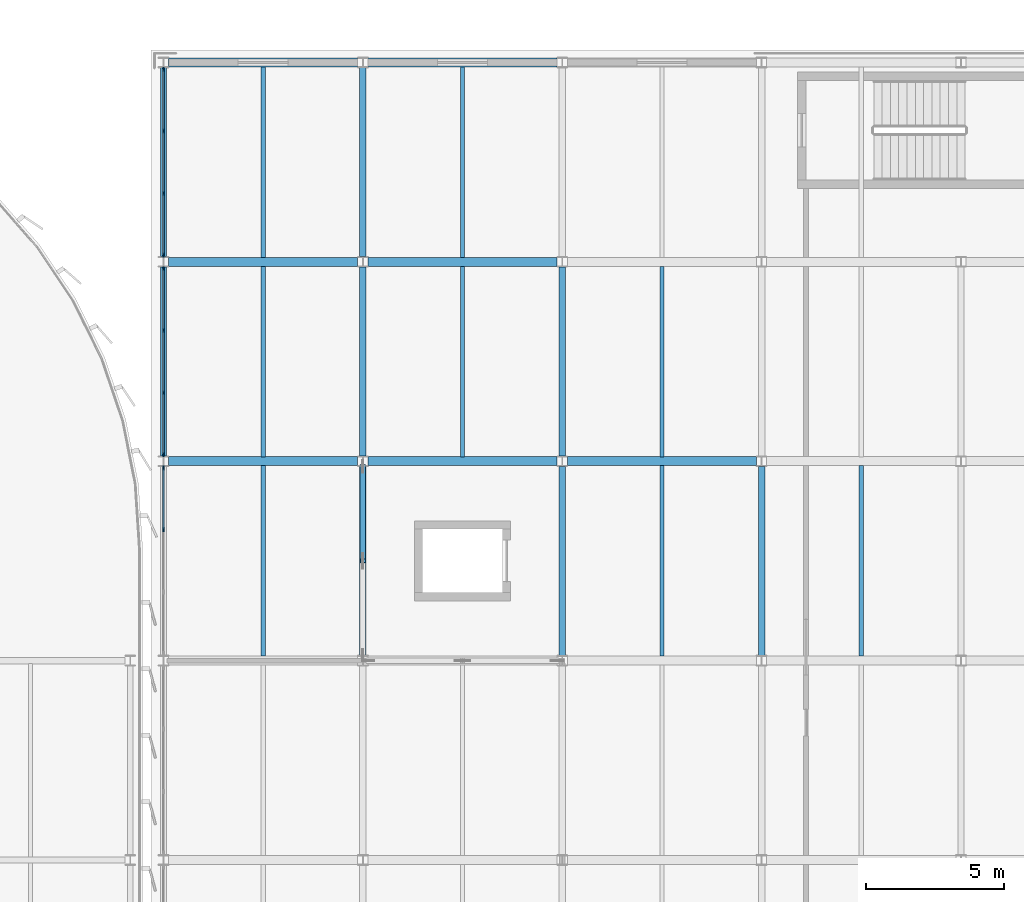
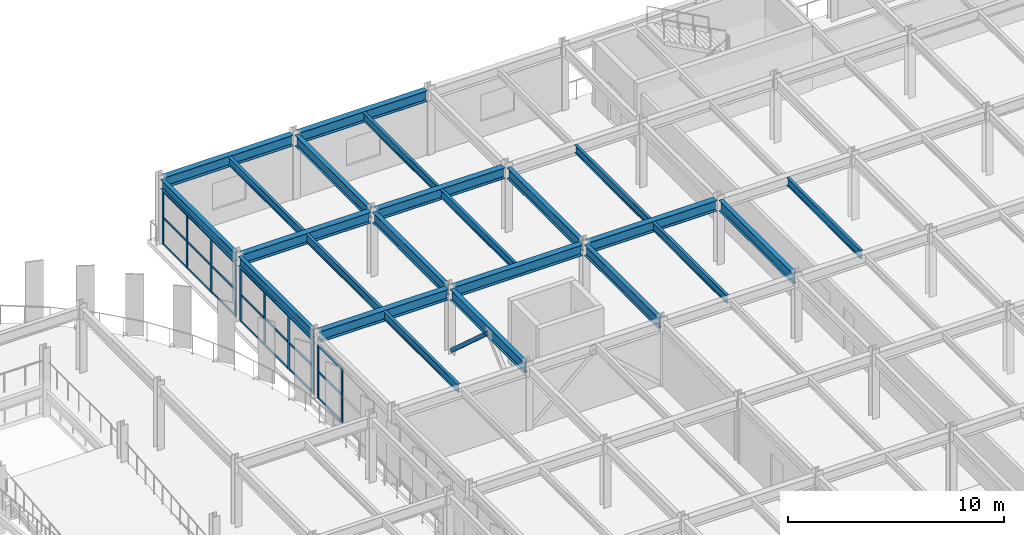
# One storey, part 46 of 93: 32 members, 23 beams, 3 elements without a shape of their own.
"""IFC4 building model written with IfcOpenShell, lengths in metres."""

from ifc_helpers import new_model, si_unit, direction, frame, origin, origin_2d, place, context, subcontext, project, spatial, rectangle, hollow_rectangle, i_section, extrude, material, material_profile, profile_set, type_object, element, aggregate, save


model = new_model("IFC4")

# Units and contexts
model_context = context("Model", 3, precision=1e-05, world=origin(), true_north=direction((0.0, 1.0)))
body_context = subcontext(model_context, "Body", "Model", "MODEL_VIEW")
ifc_project = project(units=[si_unit("LENGTHUNIT", "METRE"), si_unit("AREAUNIT", "SQUARE_METRE"), si_unit("VOLUMEUNIT", "CUBIC_METRE"), si_unit("PLANEANGLEUNIT", "RADIAN"), si_unit("MASSUNIT", "GRAM", prefix="KILO")], contexts=[model_context])

# Site, building, storey
site_placement = place(None, origin())
site = spatial("IfcSite", under=ifc_project, at=site_placement, CompositionType="ELEMENT")
building_placement = place(site_placement, origin())
building = spatial("IfcBuilding", under=site, at=building_placement, Name="Vaelcorin Mobility Hub", CompositionType="ELEMENT")
storey_placement = place(building_placement, frame((0.0, 0.0, 5.39990234375)))
storey = spatial("IfcBuildingStorey", under=building, at=storey_placement, Name="L01", CompositionType="ELEMENT", Elevation=5.39990234375)

# Beams
ifc_material_1 = material(Name="Steel ASTM A992 Grade 50", Category="steel")
ifc_material_profile_1 = material_profile(ifc_material_1, i_section(OverallWidth=0.152099609375, OverallDepth=0.455078125, WebThickness=0.008056640625, FlangeThickness=0.01318359375, FilletRadius=0.012939453125, at=origin_2d()), Name="W18X40")
ifc_profile_set_1 = profile_set([ifc_material_profile_1], Name="Steel ASTM A992 Grade 50")
beam_type_1 = type_object("IfcBeamType", Name="BM-W18X40", PredefinedType="JOIST", material=ifc_profile_set_1)
for number, where, z_axis, x_axis, name in (
    (1, (157.199951171875, 98.56005859375, 3.443115234375), (0.0, 1.0, 0.0), (-1.0, 0.0, 0.0), "L01 Beam V5-L01-J-01-12-1"),
    (2, (157.199951171875, 105.760009765625, 3.443115234375), (0.0, 1.0, 0.0), (-1.0, 0.0, 0.0), "L01 Beam V5-L01-J-01-13-1"),
):
    element("IfcBeam", number, at=place(storey_placement, frame(where, z_axis=z_axis, x_axis=x_axis)), inside=storey, type_object=beam_type_1, Name=name, PredefinedType="JOIST", context=body_context, shape_type="SweptSolid", body=[
        extrude(i_section(OverallWidth=0.152099609375, OverallDepth=0.455078125, WebThickness=0.008056640625, FlangeThickness=0.01318359375, FilletRadius=0.012939453125, at=origin_2d()), origin(), (0.0, 0.0, 1.0), 6.8798828125),
    ])
beam_1_placement = place(storey_placement, frame((157.199951171875, 112.9599609375, 3.443115234375), z_axis=(0.0, 1.0, 0.0), x_axis=(-1.0, 0.0, 0.0)))
element("IfcBeam", 3, at=beam_1_placement, inside=storey, type_object=beam_type_1, Name="L01 Beam V5-L01-J-01-14-1", PredefinedType="JOIST", context=body_context, shape_type="SweptSolid", body=[
    extrude(i_section(OverallWidth=0.152099609375, OverallDepth=0.455078125, WebThickness=0.008056640625, FlangeThickness=0.01318359375, FilletRadius=0.012939453125, at=origin_2d()), origin(), (0.0, 0.0, 1.0), 6.880126953125),
])
beam_2_placement = place(storey_placement, frame((164.39990234375, 105.760009765625, 3.443115234375), z_axis=(0.0, 1.0, 0.0), x_axis=(-1.0, 0.0, 0.0)))
element("IfcBeam", 4, at=beam_2_placement, inside=storey, type_object=beam_type_1, Name="L01 Beam V5-L01-J-02-13-1", PredefinedType="JOIST", context=body_context, shape_type="SweptSolid", body=[
    extrude(i_section(OverallWidth=0.152099609375, OverallDepth=0.455078125, WebThickness=0.008056640625, FlangeThickness=0.01318359375, FilletRadius=0.012939453125, at=origin_2d()), origin(), (0.0, 0.0, 1.0), 6.8798828125),
])
beam_3_placement = place(storey_placement, frame((164.39990234375, 112.9599609375, 3.443115234375), z_axis=(0.0, 1.0, 0.0), x_axis=(-1.0, 0.0, 0.0)))
element("IfcBeam", 5, at=beam_3_placement, inside=storey, type_object=beam_type_1, Name="L01 Beam V5-L01-J-02-14-1", PredefinedType="JOIST", context=body_context, shape_type="SweptSolid", body=[
    extrude(i_section(OverallWidth=0.152099609375, OverallDepth=0.455078125, WebThickness=0.008056640625, FlangeThickness=0.01318359375, FilletRadius=0.012939453125, at=origin_2d()), origin(), (0.0, 0.0, 1.0), 6.880126953125),
])
for number, where, z_axis, x_axis, name in (
    (6, (171.60009765625, 98.56005859375, 3.443115234375), (0.0, 1.0, 0.0), (-1.0, 0.0, 0.0), "L01 Beam V5-L01-J-03-12-1"),
    (7, (171.60009765625, 105.760009765625, 3.443115234375), (0.0, 1.0, 0.0), (-1.0, 0.0, 0.0), "L01 Beam V5-L01-J-03-13-1"),
    (8, (178.800048828125, 98.56005859375, 3.443115234375), (0.0, 1.0, 0.0), (-1.0, 0.0, 0.0), "L01 Beam V5-L01-J-04-12-1"),
):
    element("IfcBeam", number, at=place(storey_placement, frame(where, z_axis=z_axis, x_axis=x_axis)), inside=storey, type_object=beam_type_1, Name=name, PredefinedType="JOIST", context=body_context, shape_type="SweptSolid", body=[
        extrude(i_section(OverallWidth=0.152099609375, OverallDepth=0.455078125, WebThickness=0.008056640625, FlangeThickness=0.01318359375, FilletRadius=0.012939453125, at=origin_2d()), origin(), (0.0, 0.0, 1.0), 6.8798828125),
    ])
ifc_material_profile_2 = material_profile(ifc_material_1, i_section(OverallWidth=0.2099609375, OverallDepth=0.535888671875, WebThickness=0.010986328125, FlangeThickness=0.017333984375, FilletRadius=0.013916015625, at=origin_2d()), Name="W21X68")
ifc_profile_set_2 = profile_set([ifc_material_profile_2], Name="Steel ASTM A992 Grade 50")
beam_type_2 = type_object("IfcBeamType", Name="BM-W21X68", PredefinedType="SPANDREL", material=ifc_profile_set_2)
for number, where, z_axis, x_axis, name in (
    (9, (153.60009765625, 105.783935546875, 3.402099609375), (0.0, 1.0, 0.0), (-1.0, 0.0, 0.0), "L01 Beam V5-L01-GY-01-13"),
    (10, (153.60009765625, 112.98388671875, 3.402099609375), (0.0, 1.0, 0.0), (-1.0, 0.0, 0.0), "L01 Beam V5-L01-GY-01-14"),
):
    element("IfcBeam", number, at=place(storey_placement, frame(where, z_axis=z_axis, x_axis=x_axis)), inside=storey, type_object=beam_type_2, Name=name, PredefinedType="SPANDREL", context=body_context, shape_type="SweptSolid", body=[
        extrude(i_section(OverallWidth=0.2099609375, OverallDepth=0.535888671875, WebThickness=0.010986328125, FlangeThickness=0.017333984375, FilletRadius=0.013916015625, at=origin_2d()), origin(), (0.0, 0.0, 1.0), 6.83203125),
    ])
ifc_material_profile_3 = material_profile(ifc_material_1, i_section(OverallWidth=0.324951171875, OverallDepth=0.612060546875, WebThickness=0.0126953125, FlangeThickness=0.01904296875, FilletRadius=0.014892578125, at=origin_2d()), Name="W24X104")
ifc_profile_set_3 = profile_set([ifc_material_profile_3], Name="Steel ASTM A992 Grade 50")
beam_type_3 = type_object("IfcBeamType", Name="BM-W24X104", PredefinedType="BEAM", material=ifc_profile_set_3)
beam_4_placement = place(storey_placement, frame((153.783935546875, 105.60009765625, 3.364013671875), z_axis=(1.0, 0.0, 0.0), x_axis=(0.0, 1.0, 0.0)))
element("IfcBeam", 11, at=beam_4_placement, inside=storey, type_object=beam_type_3, Name="L01 Beam V5-L01-GX-13-01", PredefinedType="BEAM", context=body_context, shape_type="SweptSolid", body=[
    extrude(i_section(OverallWidth=0.324951171875, OverallDepth=0.612060546875, WebThickness=0.0126953125, FlangeThickness=0.01904296875, FilletRadius=0.014892578125, at=origin_2d()), origin(), (0.0, 0.0, 1.0), 6.8310546875),
])
beam_5_placement = place(storey_placement, frame((160.98388671875, 105.60009765625, 3.364013671875), z_axis=(1.0, 0.0, 0.0), x_axis=(0.0, 1.0, 0.0)))
element("IfcBeam", 12, at=beam_5_placement, inside=storey, type_object=beam_type_3, Name="L01 Beam V5-L01-GX-13-02", PredefinedType="BEAM", context=body_context, shape_type="SweptSolid", body=[
    extrude(i_section(OverallWidth=0.324951171875, OverallDepth=0.612060546875, WebThickness=0.0126953125, FlangeThickness=0.01904296875, FilletRadius=0.014892578125, at=origin_2d()), origin(), (0.0, 0.0, 1.0), 6.83203125),
])
beam_6_placement = place(storey_placement, frame((168.18408203125, 105.60009765625, 3.364013671875), z_axis=(1.0, 0.0, 0.0), x_axis=(0.0, 1.0, 0.0)))
element("IfcBeam", 13, at=beam_6_placement, inside=storey, type_object=beam_type_3, Name="L01 Beam V5-L01-GX-13-03", PredefinedType="BEAM", context=body_context, shape_type="SweptSolid", body=[
    extrude(i_section(OverallWidth=0.324951171875, OverallDepth=0.612060546875, WebThickness=0.0126953125, FlangeThickness=0.01904296875, FilletRadius=0.014892578125, at=origin_2d()), origin(), (0.0, 0.0, 1.0), 6.830810546875),
])
beam_7_placement = place(storey_placement, frame((153.783935546875, 112.800048828125, 3.364013671875), z_axis=(1.0, 0.0, 0.0), x_axis=(0.0, 1.0, 0.0)))
element("IfcBeam", 14, at=beam_7_placement, inside=storey, type_object=beam_type_3, Name="L01 Beam V5-L01-GX-14-01", PredefinedType="BEAM", context=body_context, shape_type="SweptSolid", body=[
    extrude(i_section(OverallWidth=0.324951171875, OverallDepth=0.612060546875, WebThickness=0.0126953125, FlangeThickness=0.01904296875, FilletRadius=0.014892578125, at=origin_2d()), origin(), (0.0, 0.0, 1.0), 6.8310546875),
])
beam_8_placement = place(storey_placement, frame((160.98388671875, 112.800048828125, 3.364013671875), z_axis=(1.0, 0.0, 0.0), x_axis=(0.0, 1.0, 0.0)))
element("IfcBeam", 15, at=beam_8_placement, inside=storey, type_object=beam_type_3, Name="L01 Beam V5-L01-GX-14-02", PredefinedType="BEAM", context=body_context, shape_type="SweptSolid", body=[
    extrude(i_section(OverallWidth=0.324951171875, OverallDepth=0.612060546875, WebThickness=0.0126953125, FlangeThickness=0.01904296875, FilletRadius=0.014892578125, at=origin_2d()), origin(), (0.0, 0.0, 1.0), 6.83203125),
])
beam_9_placement = place(storey_placement, frame((153.783935546875, 120.0, 3.364013671875), z_axis=(1.0, 0.0, 0.0), x_axis=(0.0, 1.0, 0.0)))
element("IfcBeam", 16, at=beam_9_placement, inside=storey, type_object=beam_type_3, Name="L01 Beam V5-L01-GX-15-01", PredefinedType="BEAM", context=body_context, shape_type="SweptSolid", body=[
    extrude(i_section(OverallWidth=0.324951171875, OverallDepth=0.612060546875, WebThickness=0.0126953125, FlangeThickness=0.01904296875, FilletRadius=0.014892578125, at=origin_2d()), origin(), (0.0, 0.0, 1.0), 6.8310546875),
])
beam_10_placement = place(storey_placement, frame((160.98388671875, 120.0, 3.364013671875), z_axis=(1.0, 0.0, 0.0), x_axis=(0.0, 1.0, 0.0)))
element("IfcBeam", 17, at=beam_10_placement, inside=storey, type_object=beam_type_3, Name="L01 Beam V5-L01-GX-15-02", PredefinedType="BEAM", context=body_context, shape_type="SweptSolid", body=[
    extrude(i_section(OverallWidth=0.324951171875, OverallDepth=0.612060546875, WebThickness=0.0126953125, FlangeThickness=0.01904296875, FilletRadius=0.014892578125, at=origin_2d()), origin(), (0.0, 0.0, 1.0), 6.83203125),
])
ifc_material_profile_4 = material_profile(ifc_material_1, i_section(OverallWidth=0.22900390625, OverallDepth=0.612060546875, WebThickness=0.011962890625, FlangeThickness=0.01953125, FilletRadius=0.014892578125, at=origin_2d()), Name="W24X84")
ifc_profile_set_4 = profile_set([ifc_material_profile_4], Name="Steel ASTM A992 Grade 50")
beam_type_4 = type_object("IfcBeamType", Name="BM-W24X84", PredefinedType="BEAM", material=ifc_profile_set_4)
for number, where, z_axis, x_axis, name in (
    (18, (160.800048828125, 98.583984375, 3.364013671875), (0.0, 1.0, 0.0), (-1.0, 0.0, 0.0), "L01 Beam V5-L01-GY-02-12"),
    (19, (160.800048828125, 105.783935546875, 3.364013671875), (0.0, 1.0, 0.0), (-1.0, 0.0, 0.0), "L01 Beam V5-L01-GY-02-13"),
    (20, (160.800048828125, 112.98388671875, 3.364013671875), (0.0, 1.0, 0.0), (-1.0, 0.0, 0.0), "L01 Beam V5-L01-GY-02-14"),
    (21, (168.0, 98.583984375, 3.364013671875), (0.0, 1.0, 0.0), (-1.0, 0.0, 0.0), "L01 Beam V5-L01-GY-03-12"),
    (22, (168.0, 105.783935546875, 3.364013671875), (0.0, 1.0, 0.0), (-1.0, 0.0, 0.0), "L01 Beam V5-L01-GY-03-13"),
    (23, (175.199951171875, 98.583984375, 3.364013671875), (0.0, 1.0, 0.0), (-1.0, 0.0, 0.0), "L01 Beam V5-L01-GY-04-12"),
):
    element("IfcBeam", number, at=place(storey_placement, frame(where, z_axis=z_axis, x_axis=x_axis)), inside=storey, type_object=beam_type_4, Name=name, PredefinedType="BEAM", context=body_context, shape_type="SweptSolid", body=[
        extrude(i_section(OverallWidth=0.22900390625, OverallDepth=0.612060546875, WebThickness=0.011962890625, FlangeThickness=0.01953125, FilletRadius=0.014892578125, at=origin_2d()), origin(), (0.0, 0.0, 1.0), 6.83203125),
    ])

# Member
ifc_material_2 = material(Name="Steel ASTM A500 Grade C", Category="steel")
ifc_material_profile_5 = material_profile(ifc_material_2, hollow_rectangle(XDim=0.203125, YDim=0.203125, WallThickness=0.01171875, at=origin_2d()), Name="HSS8X8X0.500")
ifc_profile_set_5 = profile_set([ifc_material_profile_5], Name="Steel ASTM A500 Grade C")
member_type_1 = type_object("IfcMemberType", Name="BR-SCBF-8X8", PredefinedType="BRACE", material=ifc_profile_set_5)
member_1_placement = place(storey_placement, frame((160.800048828125, 105.409912109375, 0.18017578125), z_axis=(0.0, -0.743196242044, 0.669073498064), x_axis=(1.0, 0.0, 0.0)))
element("IfcMember", 24, at=member_1_placement, inside=storey, type_object=member_type_1, Name="SCBF Chevron Brace V5-BY2-L01-B", PredefinedType="BRACE", context=body_context, shape_type="SweptSolid", body=[
    extrude(hollow_rectangle(XDim=0.203125, YDim=0.203125, WallThickness=0.01171875, at=origin_2d()), origin(), (0.0, 0.0, 1.0), 4.588134765625),
])

# Curtain wall, members
ifc_material_3 = material(Name="Anodised aluminium 6063-T6", Category="aluminium")
curtain_wall_type = type_object("IfcCurtainWallType", Name="CW-MOB-A", PredefinedType="NOTDEFINED", material=ifc_material_3)
curtain_wall_1_placement = place(storey_placement, origin())
curtain_wall_1 = element("IfcCurtainWall", 25, at=curtain_wall_1_placement, inside=storey, type_object=curtain_wall_type, Name="L01 Curtain Wall CW-V5-L01-WN-04", PredefinedType="NOTDEFINED")
ifc_material_profile_6 = material_profile(ifc_material_3, rectangle(XDim=0.06005859375, YDim=0.159912109375, at=origin_2d()), Name="ALU-M60X160")
ifc_profile_set_6 = profile_set([ifc_material_profile_6], Name="Anodised aluminium 6063-T6")
member_type_2 = type_object("IfcMemberType", Name="CW-MULL-160", PredefinedType="MULLION", material=ifc_profile_set_6)
member_2_placement = place(storey_placement, frame((153.60009765625, 103.126708984375, 0.0), z_axis=(0.0, 0.0, 1.0), x_axis=(-1.0, 0.0, 0.0)))
member_2 = element("IfcMember", 26, at=member_2_placement, type_object=member_type_2, Name="CW7 mullion 3", PredefinedType="MULLION", context=body_context, shape_type="SweptSolid", body=[
    extrude(rectangle(XDim=0.06005859375, YDim=0.159912109375, at=origin_2d()), origin(), (0.0, 0.0, 1.0), 3.043212890625),
])
member_3_placement = place(storey_placement, frame((153.60009765625, 105.35009765625, 0.0), z_axis=(0.0, 0.0, 1.0), x_axis=(-1.0, 0.0, 0.0)))
member_3 = element("IfcMember", 27, at=member_3_placement, type_object=member_type_2, Name="CW7 mullion 4", PredefinedType="MULLION", context=body_context, shape_type="SweptSolid", body=[
    extrude(rectangle(XDim=0.06005859375, YDim=0.159912109375, at=origin_2d()), origin(), (0.0, 0.0, 1.0), 3.043212890625),
])

curtain_wall_2_placement = place(storey_placement, origin())
curtain_wall_2 = element("IfcCurtainWall", 28, at=curtain_wall_2_placement, inside=storey, type_object=curtain_wall_type, Name="L01 Curtain Wall CW-V5-L01-WN-05", PredefinedType="NOTDEFINED")
member_4_placement = place(storey_placement, frame((153.60009765625, 105.85009765625, 0.0), z_axis=(0.0, 0.0, 1.0), x_axis=(-1.0, 0.0, 0.0)))
member_4 = element("IfcMember", 29, at=member_4_placement, type_object=member_type_2, Name="CW7 mullion 1", PredefinedType="MULLION", context=body_context, shape_type="SweptSolid", body=[
    extrude(rectangle(XDim=0.06005859375, YDim=0.159912109375, at=origin_2d()), origin(), (0.0, 0.0, 1.0), 3.043212890625),
])
member_5_placement = place(storey_placement, frame((153.60009765625, 108.0732421875, 0.0), z_axis=(0.0, 0.0, 1.0), x_axis=(-1.0, 0.0, 0.0)))
member_5 = element("IfcMember", 30, at=member_5_placement, type_object=member_type_2, Name="CW7 mullion 2", PredefinedType="MULLION", context=body_context, shape_type="SweptSolid", body=[
    extrude(rectangle(XDim=0.06005859375, YDim=0.159912109375, at=origin_2d()), origin(), (0.0, 0.0, 1.0), 3.043212890625),
])
member_6_placement = place(storey_placement, frame((153.60009765625, 110.32666015625, 0.0), z_axis=(0.0, 0.0, 1.0), x_axis=(-1.0, 0.0, 0.0)))
member_6 = element("IfcMember", 31, at=member_6_placement, type_object=member_type_2, Name="CW7 mullion 3", PredefinedType="MULLION", context=body_context, shape_type="SweptSolid", body=[
    extrude(rectangle(XDim=0.06005859375, YDim=0.159912109375, at=origin_2d()), origin(), (0.0, 0.0, 1.0), 3.043212890625),
])
member_7_placement = place(storey_placement, frame((153.60009765625, 112.550048828125, 0.0), z_axis=(0.0, 0.0, 1.0), x_axis=(-1.0, 0.0, 0.0)))
member_7 = element("IfcMember", 32, at=member_7_placement, type_object=member_type_2, Name="CW7 mullion 4", PredefinedType="MULLION", context=body_context, shape_type="SweptSolid", body=[
    extrude(rectangle(XDim=0.06005859375, YDim=0.159912109375, at=origin_2d()), origin(), (0.0, 0.0, 1.0), 3.043212890625),
])

curtain_wall_3_placement = place(storey_placement, origin())
curtain_wall_3 = element("IfcCurtainWall", 33, at=curtain_wall_3_placement, inside=storey, type_object=curtain_wall_type, Name="L01 Curtain Wall CW-V5-L01-WN-06", PredefinedType="NOTDEFINED")
member_8_placement = place(storey_placement, frame((153.60009765625, 113.050048828125, 0.0), z_axis=(0.0, 0.0, 1.0), x_axis=(-1.0, 0.0, 0.0)))
member_8 = element("IfcMember", 34, at=member_8_placement, type_object=member_type_2, Name="CW7 mullion 1", PredefinedType="MULLION", context=body_context, shape_type="SweptSolid", body=[
    extrude(rectangle(XDim=0.06005859375, YDim=0.159912109375, at=origin_2d()), origin(), (0.0, 0.0, 1.0), 3.043212890625),
])
member_9_placement = place(storey_placement, frame((153.60009765625, 115.2734375, 0.0), z_axis=(0.0, 0.0, 1.0), x_axis=(-1.0, 0.0, 0.0)))
member_9 = element("IfcMember", 35, at=member_9_placement, type_object=member_type_2, Name="CW7 mullion 2", PredefinedType="MULLION", context=body_context, shape_type="SweptSolid", body=[
    extrude(rectangle(XDim=0.06005859375, YDim=0.159912109375, at=origin_2d()), origin(), (0.0, 0.0, 1.0), 3.043212890625),
])
member_10_placement = place(storey_placement, frame((153.60009765625, 117.526611328125, 0.0), z_axis=(0.0, 0.0, 1.0), x_axis=(-1.0, 0.0, 0.0)))
member_10 = element("IfcMember", 36, at=member_10_placement, type_object=member_type_2, Name="CW7 mullion 3", PredefinedType="MULLION", context=body_context, shape_type="SweptSolid", body=[
    extrude(rectangle(XDim=0.06005859375, YDim=0.159912109375, at=origin_2d()), origin(), (0.0, 0.0, 1.0), 3.043212890625),
])
member_11_placement = place(storey_placement, frame((153.60009765625, 119.75, 0.0), z_axis=(0.0, 0.0, 1.0), x_axis=(-1.0, 0.0, 0.0)))
member_11 = element("IfcMember", 37, at=member_11_placement, type_object=member_type_2, Name="CW7 mullion 4", PredefinedType="MULLION", context=body_context, shape_type="SweptSolid", body=[
    extrude(rectangle(XDim=0.06005859375, YDim=0.159912109375, at=origin_2d()), origin(), (0.0, 0.0, 1.0), 3.043212890625),
])

# Member
ifc_material_profile_7 = material_profile(ifc_material_3, rectangle(XDim=0.06005859375, YDim=0.1201171875, at=origin_2d()), Name="ALU-T60X120")
ifc_profile_set_7 = profile_set([ifc_material_profile_7], Name="Anodised aluminium 6063-T6")
member_type_3 = type_object("IfcMemberType", Name="CW-TRAN-140", PredefinedType="USERDEFINED", material=ifc_profile_set_7)
member_12_placement = place(storey_placement, frame((153.60009765625, 103.15673828125, 0.030029296875), z_axis=(0.0, 1.0, 0.0), x_axis=(-1.0, 0.0, 0.0)))
member_12 = element("IfcMember", 38, at=member_12_placement, type_object=member_type_3, Name="CW7 transom 3.1", ObjectType="TRANSOM", PredefinedType="USERDEFINED", context=body_context, shape_type="SweptSolid", body=[
    extrude(rectangle(XDim=0.06005859375, YDim=0.1201171875, at=origin_2d()), origin(), (0.0, 0.0, 1.0), 2.163330078125),
])

member_13_placement = place(storey_placement, frame((153.60009765625, 103.15673828125, 1.522216796875), z_axis=(0.0, 1.0, 0.0), x_axis=(-1.0, 0.0, 0.0)))
member_13 = element("IfcMember", 39, at=member_13_placement, type_object=member_type_3, Name="CW7 transom 3.2", ObjectType="TRANSOM", PredefinedType="USERDEFINED", context=body_context, shape_type="SweptSolid", body=[
    extrude(rectangle(XDim=0.06005859375, YDim=0.1201171875, at=origin_2d()), origin(), (0.0, 0.0, 1.0), 2.163330078125),
])

member_14_placement = place(storey_placement, frame((153.60009765625, 103.15673828125, 3.01318359375), z_axis=(0.0, 1.0, 0.0), x_axis=(-1.0, 0.0, 0.0)))
member_14 = element("IfcMember", 40, at=member_14_placement, type_object=member_type_3, Name="CW7 transom 3.3", ObjectType="TRANSOM", PredefinedType="USERDEFINED", context=body_context, shape_type="SweptSolid", body=[
    extrude(rectangle(XDim=0.06005859375, YDim=0.1201171875, at=origin_2d()), origin(), (0.0, 0.0, 1.0), 2.163330078125),
])

aggregate(curtain_wall_1, [member_2, member_3, member_12, member_13, member_14])

member_15_placement = place(storey_placement, frame((153.60009765625, 105.8798828125, 0.030029296875), z_axis=(0.0, 1.0, 0.0), x_axis=(-1.0, 0.0, 0.0)))
member_15 = element("IfcMember", 41, at=member_15_placement, type_object=member_type_3, Name="CW7 transom 1.1", ObjectType="TRANSOM", PredefinedType="USERDEFINED", context=body_context, shape_type="SweptSolid", body=[
    extrude(rectangle(XDim=0.06005859375, YDim=0.1201171875, at=origin_2d()), origin(), (0.0, 0.0, 1.0), 2.163330078125),
])

member_16_placement = place(storey_placement, frame((153.60009765625, 105.8798828125, 1.522216796875), z_axis=(0.0, 1.0, 0.0), x_axis=(-1.0, 0.0, 0.0)))
member_16 = element("IfcMember", 42, at=member_16_placement, type_object=member_type_3, Name="CW7 transom 1.2", ObjectType="TRANSOM", PredefinedType="USERDEFINED", context=body_context, shape_type="SweptSolid", body=[
    extrude(rectangle(XDim=0.06005859375, YDim=0.1201171875, at=origin_2d()), origin(), (0.0, 0.0, 1.0), 2.163330078125),
])

member_17_placement = place(storey_placement, frame((153.60009765625, 105.8798828125, 3.01318359375), z_axis=(0.0, 1.0, 0.0), x_axis=(-1.0, 0.0, 0.0)))
member_17 = element("IfcMember", 43, at=member_17_placement, type_object=member_type_3, Name="CW7 transom 1.3", ObjectType="TRANSOM", PredefinedType="USERDEFINED", context=body_context, shape_type="SweptSolid", body=[
    extrude(rectangle(XDim=0.06005859375, YDim=0.1201171875, at=origin_2d()), origin(), (0.0, 0.0, 1.0), 2.163330078125),
])

member_18_placement = place(storey_placement, frame((153.60009765625, 108.103271484375, 0.030029296875), z_axis=(0.0, 1.0, 0.0), x_axis=(-1.0, 0.0, 0.0)))
member_18 = element("IfcMember", 44, at=member_18_placement, type_object=member_type_3, Name="CW7 transom 2.1", ObjectType="TRANSOM", PredefinedType="USERDEFINED", context=body_context, shape_type="SweptSolid", body=[
    extrude(rectangle(XDim=0.06005859375, YDim=0.1201171875, at=origin_2d()), origin(), (0.0, 0.0, 1.0), 2.193359375),
])

member_19_placement = place(storey_placement, frame((153.60009765625, 108.103271484375, 1.522216796875), z_axis=(0.0, 1.0, 0.0), x_axis=(-1.0, 0.0, 0.0)))
member_19 = element("IfcMember", 45, at=member_19_placement, type_object=member_type_3, Name="CW7 transom 2.2", ObjectType="TRANSOM", PredefinedType="USERDEFINED", context=body_context, shape_type="SweptSolid", body=[
    extrude(rectangle(XDim=0.06005859375, YDim=0.1201171875, at=origin_2d()), origin(), (0.0, 0.0, 1.0), 2.193359375),
])

member_20_placement = place(storey_placement, frame((153.60009765625, 108.103271484375, 3.01318359375), z_axis=(0.0, 1.0, 0.0), x_axis=(-1.0, 0.0, 0.0)))
member_20 = element("IfcMember", 46, at=member_20_placement, type_object=member_type_3, Name="CW7 transom 2.3", ObjectType="TRANSOM", PredefinedType="USERDEFINED", context=body_context, shape_type="SweptSolid", body=[
    extrude(rectangle(XDim=0.06005859375, YDim=0.1201171875, at=origin_2d()), origin(), (0.0, 0.0, 1.0), 2.193359375),
])

member_21_placement = place(storey_placement, frame((153.60009765625, 110.356689453125, 0.030029296875), z_axis=(0.0, 1.0, 0.0), x_axis=(-1.0, 0.0, 0.0)))
member_21 = element("IfcMember", 47, at=member_21_placement, type_object=member_type_3, Name="CW7 transom 3.1", ObjectType="TRANSOM", PredefinedType="USERDEFINED", context=body_context, shape_type="SweptSolid", body=[
    extrude(rectangle(XDim=0.06005859375, YDim=0.1201171875, at=origin_2d()), origin(), (0.0, 0.0, 1.0), 2.163330078125),
])

member_22_placement = place(storey_placement, frame((153.60009765625, 110.356689453125, 1.522216796875), z_axis=(0.0, 1.0, 0.0), x_axis=(-1.0, 0.0, 0.0)))
member_22 = element("IfcMember", 48, at=member_22_placement, type_object=member_type_3, Name="CW7 transom 3.2", ObjectType="TRANSOM", PredefinedType="USERDEFINED", context=body_context, shape_type="SweptSolid", body=[
    extrude(rectangle(XDim=0.06005859375, YDim=0.1201171875, at=origin_2d()), origin(), (0.0, 0.0, 1.0), 2.163330078125),
])

member_23_placement = place(storey_placement, frame((153.60009765625, 110.356689453125, 3.01318359375), z_axis=(0.0, 1.0, 0.0), x_axis=(-1.0, 0.0, 0.0)))
member_23 = element("IfcMember", 49, at=member_23_placement, type_object=member_type_3, Name="CW7 transom 3.3", ObjectType="TRANSOM", PredefinedType="USERDEFINED", context=body_context, shape_type="SweptSolid", body=[
    extrude(rectangle(XDim=0.06005859375, YDim=0.1201171875, at=origin_2d()), origin(), (0.0, 0.0, 1.0), 2.163330078125),
])

aggregate(curtain_wall_2, [member_4, member_5, member_6, member_7, member_15, member_16, member_17, member_18, member_19, member_20, member_21, member_22, member_23])

member_24_placement = place(storey_placement, frame((153.60009765625, 113.080078125, 0.030029296875), z_axis=(0.0, 1.0, 0.0), x_axis=(-1.0, 0.0, 0.0)))
member_24 = element("IfcMember", 50, at=member_24_placement, type_object=member_type_3, Name="CW7 transom 1.1", ObjectType="TRANSOM", PredefinedType="USERDEFINED", context=body_context, shape_type="SweptSolid", body=[
    extrude(rectangle(XDim=0.06005859375, YDim=0.1201171875, at=origin_2d()), origin(), (0.0, 0.0, 1.0), 2.163330078125),
])

member_25_placement = place(storey_placement, frame((153.60009765625, 113.080078125, 1.522216796875), z_axis=(0.0, 1.0, 0.0), x_axis=(-1.0, 0.0, 0.0)))
member_25 = element("IfcMember", 51, at=member_25_placement, type_object=member_type_3, Name="CW7 transom 1.2", ObjectType="TRANSOM", PredefinedType="USERDEFINED", context=body_context, shape_type="SweptSolid", body=[
    extrude(rectangle(XDim=0.06005859375, YDim=0.1201171875, at=origin_2d()), origin(), (0.0, 0.0, 1.0), 2.163330078125),
])

member_26_placement = place(storey_placement, frame((153.60009765625, 113.080078125, 3.01318359375), z_axis=(0.0, 1.0, 0.0), x_axis=(-1.0, 0.0, 0.0)))
member_26 = element("IfcMember", 52, at=member_26_placement, type_object=member_type_3, Name="CW7 transom 1.3", ObjectType="TRANSOM", PredefinedType="USERDEFINED", context=body_context, shape_type="SweptSolid", body=[
    extrude(rectangle(XDim=0.06005859375, YDim=0.1201171875, at=origin_2d()), origin(), (0.0, 0.0, 1.0), 2.163330078125),
])

member_27_placement = place(storey_placement, frame((153.60009765625, 115.30322265625, 0.030029296875), z_axis=(0.0, 1.0, 0.0), x_axis=(-1.0, 0.0, 0.0)))
member_27 = element("IfcMember", 53, at=member_27_placement, type_object=member_type_3, Name="CW7 transom 2.1", ObjectType="TRANSOM", PredefinedType="USERDEFINED", context=body_context, shape_type="SweptSolid", body=[
    extrude(rectangle(XDim=0.06005859375, YDim=0.1201171875, at=origin_2d()), origin(), (0.0, 0.0, 1.0), 2.193359375),
])

member_28_placement = place(storey_placement, frame((153.60009765625, 115.30322265625, 1.522216796875), z_axis=(0.0, 1.0, 0.0), x_axis=(-1.0, 0.0, 0.0)))
member_28 = element("IfcMember", 54, at=member_28_placement, type_object=member_type_3, Name="CW7 transom 2.2", ObjectType="TRANSOM", PredefinedType="USERDEFINED", context=body_context, shape_type="SweptSolid", body=[
    extrude(rectangle(XDim=0.06005859375, YDim=0.1201171875, at=origin_2d()), origin(), (0.0, 0.0, 1.0), 2.193359375),
])

member_29_placement = place(storey_placement, frame((153.60009765625, 115.30322265625, 3.01318359375), z_axis=(0.0, 1.0, 0.0), x_axis=(-1.0, 0.0, 0.0)))
member_29 = element("IfcMember", 55, at=member_29_placement, type_object=member_type_3, Name="CW7 transom 2.3", ObjectType="TRANSOM", PredefinedType="USERDEFINED", context=body_context, shape_type="SweptSolid", body=[
    extrude(rectangle(XDim=0.06005859375, YDim=0.1201171875, at=origin_2d()), origin(), (0.0, 0.0, 1.0), 2.193359375),
])

member_30_placement = place(storey_placement, frame((153.60009765625, 117.556640625, 0.030029296875), z_axis=(0.0, 1.0, 0.0), x_axis=(-1.0, 0.0, 0.0)))
member_30 = element("IfcMember", 56, at=member_30_placement, type_object=member_type_3, Name="CW7 transom 3.1", ObjectType="TRANSOM", PredefinedType="USERDEFINED", context=body_context, shape_type="SweptSolid", body=[
    extrude(rectangle(XDim=0.06005859375, YDim=0.1201171875, at=origin_2d()), origin(), (0.0, 0.0, 1.0), 2.163330078125),
])

member_31_placement = place(storey_placement, frame((153.60009765625, 117.556640625, 1.522216796875), z_axis=(0.0, 1.0, 0.0), x_axis=(-1.0, 0.0, 0.0)))
member_31 = element("IfcMember", 57, at=member_31_placement, type_object=member_type_3, Name="CW7 transom 3.2", ObjectType="TRANSOM", PredefinedType="USERDEFINED", context=body_context, shape_type="SweptSolid", body=[
    extrude(rectangle(XDim=0.06005859375, YDim=0.1201171875, at=origin_2d()), origin(), (0.0, 0.0, 1.0), 2.163330078125),
])

member_32_placement = place(storey_placement, frame((153.60009765625, 117.556640625, 3.01318359375), z_axis=(0.0, 1.0, 0.0), x_axis=(-1.0, 0.0, 0.0)))
member_32 = element("IfcMember", 58, at=member_32_placement, type_object=member_type_3, Name="CW7 transom 3.3", ObjectType="TRANSOM", PredefinedType="USERDEFINED", context=body_context, shape_type="SweptSolid", body=[
    extrude(rectangle(XDim=0.06005859375, YDim=0.1201171875, at=origin_2d()), origin(), (0.0, 0.0, 1.0), 2.163330078125),
])

aggregate(curtain_wall_3, [member_8, member_9, member_10, member_11, member_24, member_25, member_26, member_27, member_28, member_29, member_30, member_31, member_32])

save(model, "model.ifc")
